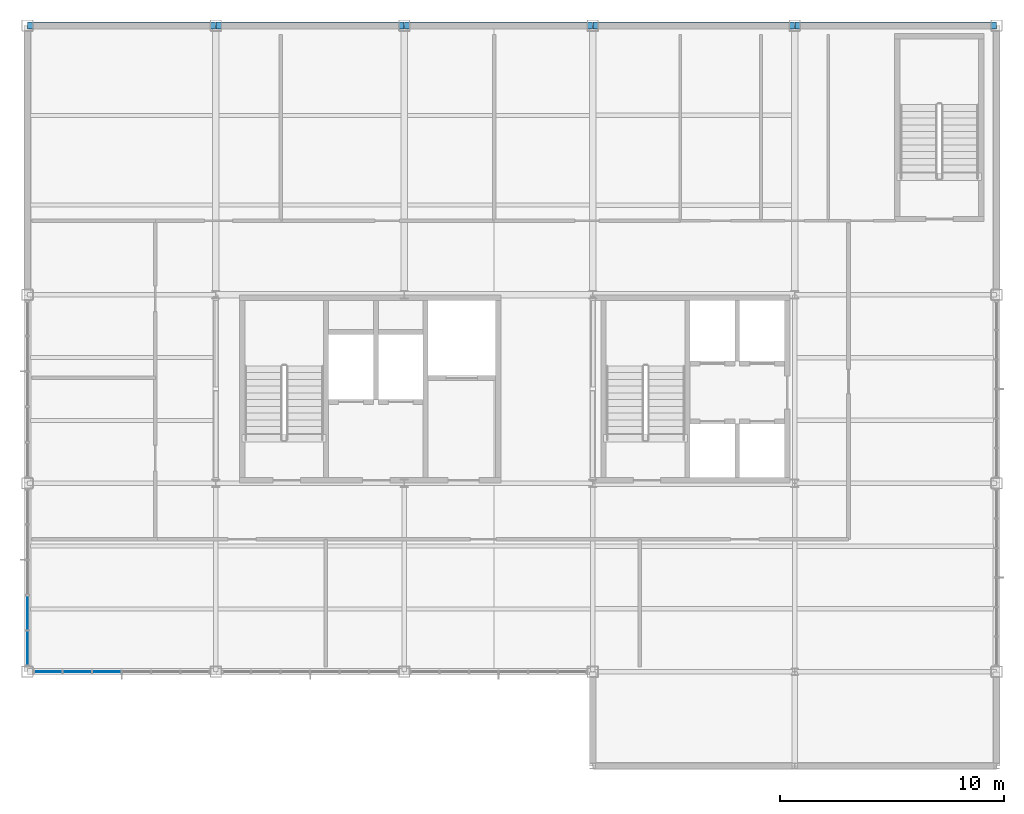
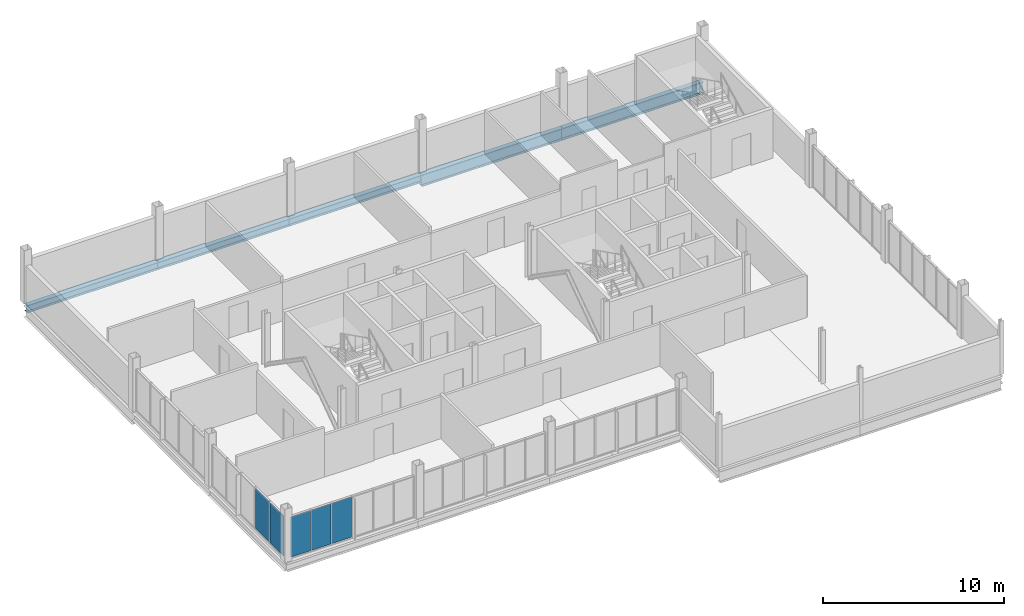
# One storey, part 9 of 16: 5 beams, 5 plates, 2 elements without a shape of their own.
"""IFC4 building model written with IfcOpenShell, lengths in metres."""

from ifc_helpers import new_model, si_unit, direction, frame, origin, origin_2d, place, context, subcontext, project, spatial, rectangle, i_section, extrude, material, layer, layer_set, material_profile, profile_set, type_object, element, aggregate, save


model = new_model("IFC4")

# Units and contexts
model_context = context("Model", 3, precision=1e-05, world=origin(), true_north=direction((0.0, 1.0)))
body_context = subcontext(model_context, "Body", "Model", "MODEL_VIEW")
ifc_project = project(units=[si_unit("LENGTHUNIT", "METRE"), si_unit("AREAUNIT", "SQUARE_METRE"), si_unit("VOLUMEUNIT", "CUBIC_METRE"), si_unit("PLANEANGLEUNIT", "RADIAN"), si_unit("MASSUNIT", "GRAM", prefix="KILO")], contexts=[model_context])

# Site, building, storey
site_placement = place(None, origin())
site = spatial("IfcSite", under=ifc_project, at=site_placement, CompositionType="ELEMENT")
building_placement = place(site_placement, origin())
building = spatial("IfcBuilding", under=site, at=building_placement, Name="Yukiwa Park Conservatory and Herbarium", CompositionType="ELEMENT")
storey_placement = place(building_placement, frame((0.0, 0.0, 39.60009765625)))
storey = spatial("IfcBuildingStorey", under=building, at=storey_placement, Name="L10", CompositionType="ELEMENT", Elevation=39.60009765625)

# Beams
ifc_material_1 = material(Name="Steel Q355D", Category="steel")
ifc_material_profile_1 = material_profile(ifc_material_1, i_section(OverallWidth=0.300048828125, OverallDepth=0.5, WebThickness=0.010986328125, FlangeThickness=0.01806640625, FilletRadius=0.02392578125, at=origin_2d()), Name="HM 500x300x11x18")
ifc_profile_set_1 = profile_set([ifc_material_profile_1], Name="Steel Q355D")
beam_type_1 = type_object("IfcBeamType", Name="BM-SPN-HN500", PredefinedType="SPANDREL", material=ifc_profile_set_1)
beam_placement = place(storey_placement, frame((124.805908203125, 115.199951171875, -0.502197265625), z_axis=(1.0, 0.0, 0.0), x_axis=(0.0, 1.0, 0.0)))
element("IfcBeam", 1, at=beam_placement, inside=storey, type_object=beam_type_1, Name="L10 spandrel beam X-18", PredefinedType="SPANDREL", context=body_context, shape_type="SweptSolid", body=[
    extrude(i_section(OverallWidth=0.300048828125, OverallDepth=0.5, WebThickness=0.010986328125, FlangeThickness=0.01806640625, FilletRadius=0.02392578125, at=origin_2d()), origin(), (0.0, 0.0, 1.0), 8.38818359375),
])
for number, where, z_axis, x_axis, name in (
    (2, (133.2060546875, 115.199951171875, -0.502197265625), (1.0, 0.0, 0.0), (0.0, 1.0, 0.0), "L10 spandrel beam X-19"),
    (3, (141.60595703125, 115.199951171875, -0.502197265625), (1.0, 0.0, 0.0), (0.0, 1.0, 0.0), "L10 spandrel beam X-20"),
):
    element("IfcBeam", number, at=place(storey_placement, frame(where, z_axis=z_axis, x_axis=x_axis)), inside=storey, type_object=beam_type_1, Name=name, PredefinedType="SPANDREL", context=body_context, shape_type="SweptSolid", body=[
        extrude(i_section(OverallWidth=0.300048828125, OverallDepth=0.5, WebThickness=0.010986328125, FlangeThickness=0.01806640625, FilletRadius=0.02392578125, at=origin_2d()), origin(), (0.0, 0.0, 1.0), 8.387939453125),
    ])
ifc_material_2 = material(Name="Steel Q355D", Category="steel")
ifc_material_profile_2 = material_profile(ifc_material_2, i_section(OverallWidth=0.300048828125, OverallDepth=0.7919921875, WebThickness=0.013916015625, FlangeThickness=0.02197265625, FilletRadius=0.028076171875, at=origin_2d()), Name="HN 792x300x14x22")
ifc_profile_set_2 = profile_set([ifc_material_profile_2], Name="Steel Q355D")
beam_type_2 = type_object("IfcBeamType", Name="BM-SPN-HN600", PredefinedType="SPANDREL", material=ifc_profile_set_2)
for number, where, z_axis, x_axis, name in (
    (4, (150.006103515625, 115.199951171875, -0.648193359375), (1.0, 0.0, 0.0), (0.0, 1.0, 0.0), "L10 spandrel beam X-21"),
    (5, (159.006103515625, 115.199951171875, -0.648193359375), (1.0, 0.0, 0.0), (0.0, 1.0, 0.0), "L10 spandrel beam X-22"),
):
    element("IfcBeam", number, at=place(storey_placement, frame(where, z_axis=z_axis, x_axis=x_axis)), inside=storey, type_object=beam_type_2, Name=name, PredefinedType="SPANDREL", context=body_context, shape_type="SweptSolid", body=[
        extrude(i_section(OverallWidth=0.300048828125, OverallDepth=0.7919921875, WebThickness=0.013916015625, FlangeThickness=0.02197265625, FilletRadius=0.028076171875, at=origin_2d()), origin(), (0.0, 0.0, 1.0), 8.98779296875),
    ])

# Curtain wall, plates
ifc_material_3 = material(Name="Triple Low-E Insulated Glass", Category="glass")
ifc_layer_1 = layer(ifc_material_3, 0.260009765625)
ifc_layer_set_1 = layer_set([ifc_layer_1], Name="Triple Low-E Insulated Glass")
curtain_wall_type_1 = type_object("IfcCurtainWallType", Name="CW-TOWER-LAB-W-1500", PredefinedType="NOTDEFINED", material=ifc_layer_set_1)
curtain_wall_1_placement = place(storey_placement, origin())
curtain_wall_1 = element("IfcCurtainWall", 6, at=curtain_wall_1_placement, inside=storey, type_object=curtain_wall_type_1, Name="L10 unitised curtain wall CW-L10-108", PredefinedType="NOTDEFINED")
ifc_material_4 = material(Name="Triple Low-E Insulated Glass", Category="glass")
ifc_layer_2 = layer(ifc_material_4, 0.035888671875)
ifc_layer_set_2 = layer_set([ifc_layer_2], Name="Triple Low-E Insulated Glass")
plate_type = type_object("IfcPlateType", Name="PL-CW-GLZ-36", PredefinedType="CURTAIN_PANEL", material=ifc_layer_set_2)
plate_1_placement = place(storey_placement, frame((124.800048828125, 89.02001953125, 0.06982421875), z_axis=(0.0, 0.0, 1.0), x_axis=(0.0, -1.0, 0.0)))
plate_1 = element("IfcPlate", 7, at=plate_1_placement, type_object=plate_type, Name="CW-L10-108 vision panel 4.1", PredefinedType="CURTAIN_PANEL", context=body_context, shape_type="SweptSolid", body=[
    extrude(rectangle(XDim=1.510009765625, YDim=0.035888671875, at=origin_2d()), origin(), (0.0, 0.0, 1.0), 2.701904296875),
])
plate_2_placement = place(storey_placement, frame((124.800048828125, 87.43994140625, 0.06982421875), z_axis=(0.0, 0.0, 1.0), x_axis=(0.0, -1.0, 0.0)))
plate_2 = element("IfcPlate", 8, at=plate_2_placement, type_object=plate_type, Name="CW-L10-108 vision panel 5.1", PredefinedType="CURTAIN_PANEL", context=body_context, shape_type="SweptSolid", body=[
    extrude(rectangle(XDim=1.510009765625, YDim=0.035888671875, at=origin_2d()), origin(), (0.0, 0.0, 1.0), 2.701904296875),
])
aggregate(curtain_wall_1, [plate_1, plate_2])

ifc_material_5 = material(Name="Triple Low-E Insulated Glass", Category="glass")
ifc_layer_3 = layer(ifc_material_5, 0.248046875)
ifc_layer_set_3 = layer_set([ifc_layer_3], Name="Triple Low-E Insulated Glass")
curtain_wall_type_2 = type_object("IfcCurtainWallType", Name="CW-TOWER-LAB-S-1400", PredefinedType="NOTDEFINED", material=ifc_layer_set_3)
curtain_wall_2_placement = place(storey_placement, origin())
curtain_wall_2 = element("IfcCurtainWall", 9, at=curtain_wall_2_placement, inside=storey, type_object=curtain_wall_type_2, Name="L10 unitised curtain wall CW-L10-109", PredefinedType="NOTDEFINED")
plate_3_placement = place(storey_placement, frame((125.708251953125, 86.39990234375, 0.06982421875), z_axis=(0.0, 0.0, 1.0), x_axis=(1.0, 0.0, 0.0)))
plate_3 = element("IfcPlate", 10, at=plate_3_placement, type_object=plate_type, Name="CW-L10-109 vision panel 1.1", PredefinedType="CURTAIN_PANEL", context=body_context, shape_type="SweptSolid", body=[
    extrude(rectangle(XDim=1.24658203125, YDim=0.035888671875, at=origin_2d()), origin(), (0.0, 0.0, 1.0), 2.701904296875),
])
plate_4_placement = place(storey_placement, frame((127.02490234375, 86.39990234375, 0.06982421875), z_axis=(0.0, 0.0, 1.0), x_axis=(1.0, 0.0, 0.0)))
plate_4 = element("IfcPlate", 11, at=plate_4_placement, type_object=plate_type, Name="CW-L10-109 vision panel 2.1", PredefinedType="CURTAIN_PANEL", context=body_context, shape_type="SweptSolid", body=[
    extrude(rectangle(XDim=1.24658203125, YDim=0.035888671875, at=origin_2d()), origin(), (0.0, 0.0, 1.0), 2.701904296875),
])
plate_5_placement = place(storey_placement, frame((128.341796875, 86.39990234375, 0.06982421875), z_axis=(0.0, 0.0, 1.0), x_axis=(1.0, 0.0, 0.0)))
plate_5 = element("IfcPlate", 12, at=plate_5_placement, type_object=plate_type, Name="CW-L10-109 vision panel 3.1", PredefinedType="CURTAIN_PANEL", context=body_context, shape_type="SweptSolid", body=[
    extrude(rectangle(XDim=1.24658203125, YDim=0.035888671875, at=origin_2d()), origin(), (0.0, 0.0, 1.0), 2.701904296875),
])
aggregate(curtain_wall_2, [plate_3, plate_4, plate_5])

save(model, "model.ifc")
